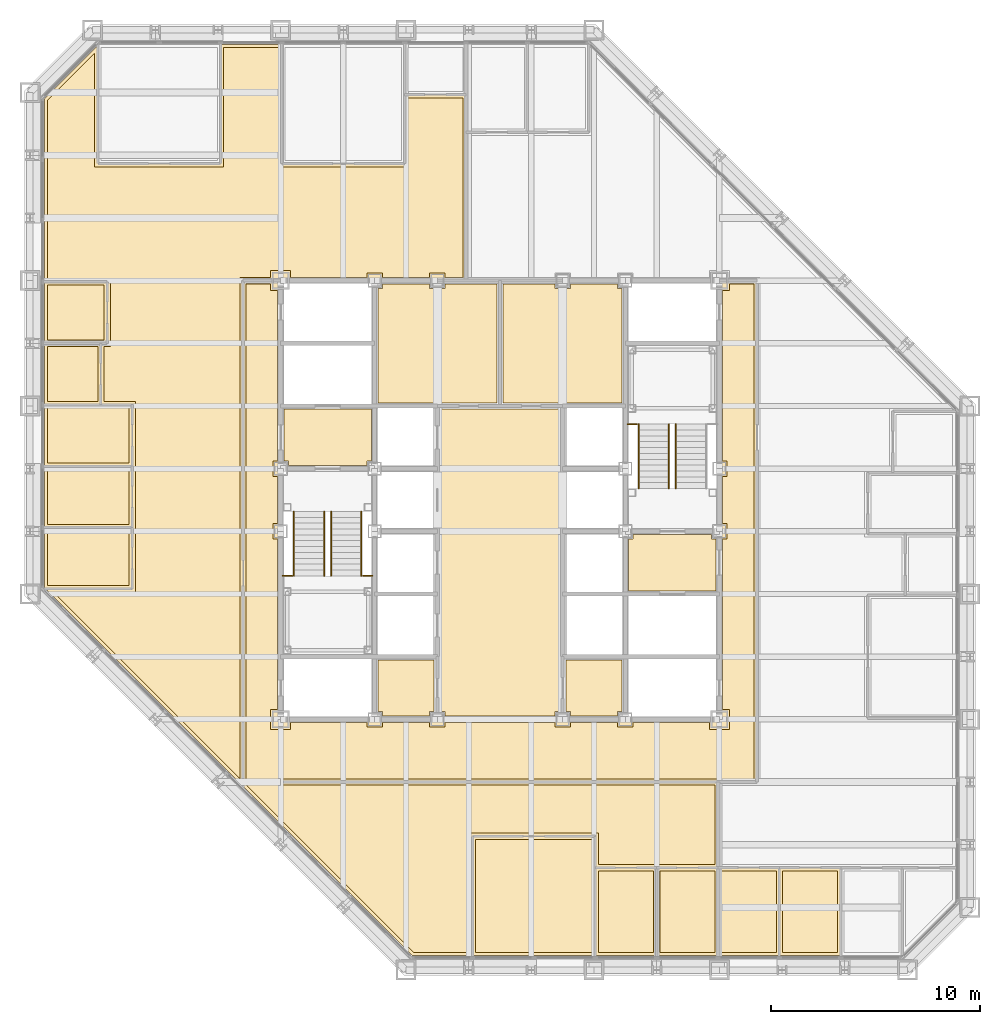
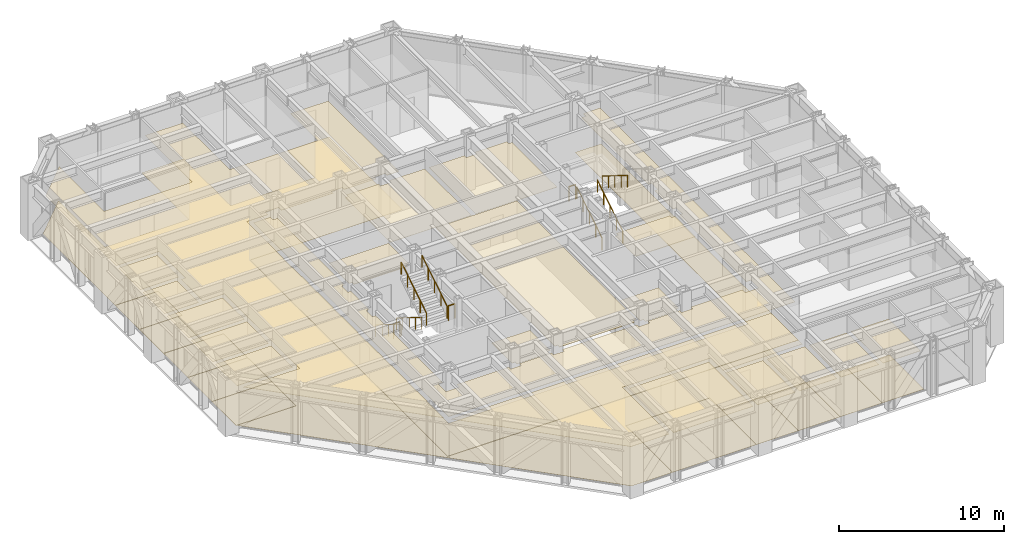
# One storey, part 14 of 16: 32 coverings, 10 railings.
"""IFC4 building model written with IfcOpenShell, lengths in metres."""

from ifc_helpers import new_model, si_unit, direction, frame, origin, origin_2d, place, context, subcontext, project, spatial, polyline, circle, outline, extrude, material, layer, layer_set, type_object, element, save


model = new_model("IFC4")

# Units and contexts
model_context = context("Model", 3, precision=1e-05, world=origin(), true_north=direction((0.0, 1.0)))
body_context = subcontext(model_context, "Body", "Model", "MODEL_VIEW")
ifc_project = project(units=[si_unit("LENGTHUNIT", "METRE"), si_unit("AREAUNIT", "SQUARE_METRE"), si_unit("VOLUMEUNIT", "CUBIC_METRE"), si_unit("PLANEANGLEUNIT", "RADIAN"), si_unit("MASSUNIT", "GRAM", prefix="KILO")], contexts=[model_context])

# Site, building, storey
site_placement = place(None, origin())
site = spatial("IfcSite", under=ifc_project, at=site_placement, CompositionType="ELEMENT")
building_placement = place(site_placement, origin())
building = spatial("IfcBuilding", under=site, at=building_placement, Name="Chuquiago Exchange Tower", CompositionType="ELEMENT")
storey_placement = place(building_placement, frame((0.0, 0.0, 153.0)))
storey = spatial("IfcBuildingStorey", under=building, at=storey_placement, Name="L33", CompositionType="ELEMENT", Elevation=153.0)

# Coverings
ifc_material_1 = material(Name="Mineral fibre tile, 600 x 600, on pale metal grid", Category="mineral fibre")
ifc_layer_1 = layer(ifc_material_1, 0.02001953125)
ifc_layer_set_1 = layer_set([ifc_layer_1], Name="CL1 suspended tile ceiling 20")
covering_type_1 = type_object("IfcCoveringType", Name="CL1 suspended tile ceiling 20", PredefinedType="CEILING", material=ifc_layer_set_1)
covering_1_placement = place(storey_placement, frame((0.0, 0.0, 2.800048828125)))
element("IfcCovering", 1, at=covering_1_placement, inside=storey, type_object=covering_type_1, Name="Ceiling Investor relations office", PredefinedType="CEILING", context=body_context, shape_type="SweptSolid", body=[
    extrude(outline(polyline([(21.33642578125, 6.25), (26.912109375, 6.25), (26.912109375, 0.85009765625), (21.33642578125, 0.85009765625), (21.33642578125, 6.25)])), origin(), (0.0, 0.0, 1.0), 0.02001953125),
])
covering_2_placement = place(storey_placement, frame((0.0, 0.0, 2.800048828125)))
element("IfcCovering", 2, at=covering_2_placement, inside=storey, type_object=covering_type_1, Name="Ceiling Office", PredefinedType="CEILING", context=body_context, shape_type="SweptSolid", body=[
    extrude(outline(polyline([(27.212158203125, 4.75), (29.85009765625, 4.75), (29.85009765625, 0.85009765625), (27.212158203125, 0.85009765625), (27.212158203125, 4.75)])), origin(), (0.0, 0.0, 1.0), 0.02001953125),
])
covering_3_placement = place(storey_placement, frame((0.0, 0.0, 2.800048828125)))
element("IfcCovering", 3, at=covering_3_placement, inside=storey, type_object=covering_type_1, Name="Ceiling Office", PredefinedType="CEILING", context=body_context, shape_type="SweptSolid", body=[
    extrude(outline(polyline([(30.14990234375, 4.75), (32.787841796875, 4.75), (32.787841796875, 0.85009765625), (30.14990234375, 0.85009765625), (30.14990234375, 4.75)])), origin(), (0.0, 0.0, 1.0), 0.02001953125),
])
covering_4_placement = place(storey_placement, frame((0.0, 0.0, 2.800048828125)))
element("IfcCovering", 4, at=covering_4_placement, inside=storey, type_object=covering_type_1, Name="Ceiling Office", PredefinedType="CEILING", context=body_context, shape_type="SweptSolid", body=[
    extrude(outline(polyline([(33.087890625, 4.75), (35.7255859375, 4.75), (35.7255859375, 0.85009765625), (33.087890625, 0.85009765625), (33.087890625, 4.75)])), origin(), (0.0, 0.0, 1.0), 0.02001953125),
])
covering_5_placement = place(storey_placement, frame((0.0, 0.0, 2.800048828125)))
element("IfcCovering", 5, at=covering_5_placement, inside=storey, type_object=covering_type_1, Name="Ceiling Office", PredefinedType="CEILING", context=body_context, shape_type="SweptSolid", body=[
    extrude(outline(polyline([(36.025634765625, 4.75), (38.66357421875, 4.75), (38.66357421875, 0.85009765625), (36.025634765625, 0.85009765625), (36.025634765625, 4.75)])), origin(), (0.0, 0.0, 1.0), 0.02001953125),
])
covering_6_placement = place(storey_placement, frame((0.0, 0.0, 2.800048828125)))
element("IfcCovering", 6, at=covering_6_placement, inside=storey, type_object=covering_type_1, Name="Ceiling Office", PredefinedType="CEILING", context=body_context, shape_type="SweptSolid", body=[
    extrude(outline(polyline([(0.85009765625, 21.036376953125), (4.75, 21.036376953125), (4.75, 18.3984375), (0.85009765625, 18.3984375), (0.85009765625, 21.036376953125)])), origin(), (0.0, 0.0, 1.0), 0.02001953125),
])
covering_7_placement = place(storey_placement, frame((0.0, 0.0, 2.800048828125)))
element("IfcCovering", 7, at=covering_7_placement, inside=storey, type_object=covering_type_1, Name="Ceiling Office", PredefinedType="CEILING", context=body_context, shape_type="SweptSolid", body=[
    extrude(outline(polyline([(4.75, 23.974365234375), (4.75, 21.33642578125), (0.85009765625, 21.33642578125), (0.85009765625, 23.974365234375), (4.75, 23.974365234375)])), origin(), (0.0, 0.0, 1.0), 0.02001953125),
])
covering_8_placement = place(storey_placement, frame((0.0, 0.0, 2.800048828125)))
element("IfcCovering", 8, at=covering_8_placement, inside=storey, type_object=covering_type_1, Name="Ceiling Office", PredefinedType="CEILING", context=body_context, shape_type="SweptSolid", body=[
    extrude(outline(polyline([(4.75, 26.912109375), (4.75, 24.2744140625), (0.85009765625, 24.2744140625), (0.85009765625, 26.912109375), (4.75, 26.912109375)])), origin(), (0.0, 0.0, 1.0), 0.02001953125),
])
covering_9_placement = place(storey_placement, frame((0.0, 0.0, 2.800048828125)))
element("IfcCovering", 9, at=covering_9_placement, inside=storey, type_object=covering_type_1, Name="Ceiling Store", PredefinedType="CEILING", context=body_context, shape_type="SweptSolid", body=[
    extrude(outline(polyline([(3.25, 29.85009765625), (3.25, 27.212158203125), (0.85009765625, 27.212158203125), (0.85009765625, 29.85009765625), (3.25, 29.85009765625)])), origin(), (0.0, 0.0, 1.0), 0.02001953125),
])
covering_10_placement = place(storey_placement, frame((0.0, 0.0, 2.800048828125)))
element("IfcCovering", 10, at=covering_10_placement, inside=storey, type_object=covering_type_1, Name="Ceiling Pantry", PredefinedType="CEILING", context=body_context, shape_type="SweptSolid", body=[
    extrude(outline(polyline([(3.550048828125, 32.787841796875), (3.550048828125, 30.14990234375), (0.85009765625, 30.14990234375), (0.85009765625, 32.787841796875), (3.550048828125, 32.787841796875)])), origin(), (0.0, 0.0, 1.0), 0.02001953125),
])
covering_11_placement = place(storey_placement, frame((0.0, 0.0, 2.800048828125)))
element("IfcCovering", 11, at=covering_11_placement, inside=storey, type_object=covering_type_1, Name="Ceiling Open office west suite", PredefinedType="CEILING", context=body_context, shape_type="SweptSolid", body=[
    extrude(outline(polyline([(3.098388671875, 38.449951171875), (9.2744140625, 38.449951171875), (9.2744140625, 44.14990234375), (11.912109375, 44.14990234375), (11.912109375, 38.449951171875), (18.087890625, 38.449951171875), (18.087890625, 41.75), (20.72509765625, 41.75), (20.72509765625, 33.14990234375), (19.875, 33.14990234375), (19.875, 33.375), (19.125, 33.375), (19.125, 33.14990234375), (16.875, 33.14990234375), (16.875, 33.375), (16.125, 33.375), (16.125, 33.14990234375), (12.47509765625, 33.150146484375), (12.47509765625, 33.47509765625), (11.52490234375, 33.47509765625), (11.52490234375, 33.150146484375), (10.049560546875, 33.150146484375), (10.049560546875, 9.15234375), (1.103515625, 18.098388671875), (5.050048828125, 18.098388671875), (5.050048828125, 27.212158203125), (3.550048828125, 27.212158203125), (3.550048828125, 29.85009765625), (3.85009765625, 29.85009765625), (3.85009765625, 33.087890625), (0.85009765625, 33.087890625), (0.85009765625, 41.64794921875), (3.098388671875, 43.896484375), (3.098388671875, 38.449951171875)])), origin(), (0.0, 0.0, 1.0), 0.02001953125),
])
covering_12_placement = place(storey_placement, frame((0.0, 0.0, 2.800048828125)))
element("IfcCovering", 12, at=covering_12_placement, inside=storey, type_object=covering_type_1, Name="Ceiling Open office west suite", PredefinedType="CEILING", context=body_context, shape_type="SweptSolid", body=[
    extrude(outline(polyline([(32.787353515625, 8.849609375), (32.787353515625, 5.050048828125), (27.212158203125, 5.050048828125), (27.212158203125, 6.550048828125), (21.036376953125, 6.550048828125), (21.036376953125, 0.85009765625), (18.35205078125, 0.85009765625), (10.352294921875, 8.849609375), (32.787353515625, 8.849609375)])), origin(), (0.0, 0.0, 1.0), 0.02001953125),
])
covering_13_placement = place(storey_placement, frame((0.0, 0.0, 2.800048828125)))
element("IfcCovering", 13, at=covering_13_placement, inside=storey, type_object=covering_type_1, Name="Ceiling Tenant corridor", PredefinedType="CEILING", context=body_context, shape_type="SweptSolid", body=[
    extrude(outline(polyline([(16.125, 11.85009765625), (16.125, 11.625), (16.875, 11.625), (16.875, 11.85009765625), (19.125, 11.85009765625), (19.125, 11.625), (19.875, 11.625), (19.875, 11.85009765625), (25.125, 11.85009765625), (25.125, 11.625), (25.875, 11.625), (25.875, 11.85009765625), (28.125, 11.85009765625), (28.125, 11.625), (28.875, 11.625), (28.875, 11.85009765625), (32.52490234375, 11.85009765625), (32.52490234375, 11.52490234375), (33.47509765625, 11.52490234375), (33.47509765625, 12.47509765625), (33.14990234375, 12.47509765625), (33.14990234375, 20.625), (33.375, 20.625), (33.375, 21.375), (33.14990234375, 21.375), (33.14990234375, 23.625), (33.375, 23.625), (33.375, 24.375), (33.14990234375, 24.375), (33.14990234375, 32.52490234375), (33.47509765625, 32.52490234375), (33.47509765625, 32.85009765625), (34.64990234375, 32.85009765625), (34.64990234375, 9.14990234375), (10.35009765625, 9.14990234375), (10.35009765625, 32.85009765625), (11.52490234375, 32.85009765625), (11.52490234375, 32.52490234375), (11.85009765625, 32.52490234375), (11.85009765625, 24.375), (11.625, 24.375), (11.625, 23.625), (11.85009765625, 23.625), (11.85009765625, 21.375), (11.625, 21.375), (11.625, 20.625), (11.85009765625, 20.625), (11.85009765625, 12.47509765625), (11.52490234375, 12.47509765625), (11.52490234375, 11.52490234375), (12.47509765625, 11.52490234375), (12.47509765625, 11.85009765625), (16.125, 11.85009765625)])), origin(), (0.0, 0.0, 1.0), 0.02001953125),
])
ifc_material_2 = material(Name="Moisture resistant plasterboard on metal frame", Category="gypsum")
ifc_layer_2 = layer(ifc_material_2, 0.014892578125)
ifc_layer_set_2 = layer_set([ifc_layer_2], Name="CL2 moisture resistant ceiling 15")
covering_type_2 = type_object("IfcCoveringType", Name="CL2 moisture resistant ceiling 15", PredefinedType="CEILING", material=ifc_layer_set_2)
covering_14_placement = place(storey_placement, frame((0.0, 0.0, 2.60009765625)))
element("IfcCovering", 14, at=covering_14_placement, inside=storey, type_object=covering_type_2, Name="Ceiling Male WC", PredefinedType="CEILING", context=body_context, shape_type="SweptSolid", body=[
    extrude(outline(polyline([(16.64990234375, 27.14990234375), (16.64990234375, 32.625), (16.875, 32.625), (16.875, 32.85009765625), (19.125, 32.85009765625), (19.125, 32.625), (19.875, 32.625), (19.875, 32.85009765625), (22.35009765625, 32.85009765625), (22.35009765625, 27.14990234375), (16.64990234375, 27.14990234375)])), origin(), (0.0, 0.0, 1.0), 0.014892578125),
])
covering_15_placement = place(storey_placement, frame((0.0, 0.0, 2.60009765625)))
element("IfcCovering", 15, at=covering_15_placement, inside=storey, type_object=covering_type_2, Name="Ceiling Female WC", PredefinedType="CEILING", context=body_context, shape_type="SweptSolid", body=[
    extrude(outline(polyline([(22.64990234375, 27.14990234375), (22.64990234375, 32.85009765625), (25.125, 32.85009765625), (25.125, 32.625), (25.875, 32.625), (25.875, 32.85009765625), (28.125, 32.85009765625), (28.125, 32.625), (28.35009765625, 32.625), (28.35009765625, 27.14990234375), (22.64990234375, 27.14990234375)])), origin(), (0.0, 0.0, 1.0), 0.014892578125),
])
covering_16_placement = place(storey_placement, frame((0.0, 0.0, 2.60009765625)))
element("IfcCovering", 16, at=covering_16_placement, inside=storey, type_object=covering_type_2, Name="Ceiling Accessible WC", PredefinedType="CEILING", context=body_context, shape_type="SweptSolid", body=[
    extrude(outline(polyline([(25.875, 12.14990234375), (25.875, 12.375), (25.64990234375, 12.375), (25.64990234375, 14.85009765625), (28.35009765625, 14.85009765625), (28.35009765625, 12.375), (28.125, 12.375), (28.125, 12.14990234375), (25.875, 12.14990234375)])), origin(), (0.0, 0.0, 1.0), 0.014892578125),
])
covering_17_placement = place(storey_placement, frame((0.0, 0.0, 2.60009765625)))
element("IfcCovering", 17, at=covering_17_placement, inside=storey, type_object=covering_type_2, Name="Ceiling Cleaner", PredefinedType="CEILING", context=body_context, shape_type="SweptSolid", body=[
    extrude(outline(polyline([(16.875, 12.14990234375), (16.875, 12.375), (16.64990234375, 12.375), (16.64990234375, 14.85009765625), (19.35009765625, 14.85009765625), (19.35009765625, 12.375), (19.125, 12.375), (19.125, 12.14990234375), (16.875, 12.14990234375)])), origin(), (0.0, 0.0, 1.0), 0.014892578125),
])
ifc_material_3 = material(Name="Pale metal plank ceiling, perforated", Category="aluminium")
ifc_layer_3 = layer(ifc_material_3, 0.030029296875)
ifc_layer_set_3 = layer_set([ifc_layer_3], Name="CL3 metal plank ceiling 30")
covering_type_3 = type_object("IfcCoveringType", Name="CL3 metal plank ceiling 30", PredefinedType="CEILING", material=ifc_layer_set_3)
covering_18_placement = place(storey_placement, frame((0.0, 0.0, 2.800048828125)))
element("IfcCovering", 18, at=covering_18_placement, inside=storey, type_object=covering_type_3, Name="Ceiling Lift lobby", PredefinedType="CEILING", context=body_context, shape_type="SweptSolid", body=[
    extrude(outline(polyline([(19.875, 12.14990234375), (19.875, 12.375), (19.64990234375, 12.375), (19.64990234375, 26.85009765625), (25.35009765625, 26.85009765625), (25.35009765625, 12.375), (25.125, 12.375), (25.125, 12.14990234375), (19.875, 12.14990234375)])), origin(), (0.0, 0.0, 1.0), 0.030029296875),
])
covering_19_placement = place(storey_placement, frame((0.0, 0.0, 2.800048828125)))
element("IfcCovering", 19, at=covering_19_placement, inside=storey, type_object=covering_type_3, Name="Ceiling Firefighting lobby", PredefinedType="CEILING", context=body_context, shape_type="SweptSolid", body=[
    extrude(outline(polyline([(12.375, 24.14990234375), (12.375, 24.375), (12.14990234375, 24.375), (12.14990234375, 26.85009765625), (16.35009765625, 26.85009765625), (16.35009765625, 24.375), (16.125, 24.375), (16.125, 24.14990234375), (12.375, 24.14990234375)])), origin(), (0.0, 0.0, 1.0), 0.030029296875),
])
covering_20_placement = place(storey_placement, frame((0.0, 0.0, 2.800048828125)))
element("IfcCovering", 20, at=covering_20_placement, inside=storey, type_object=covering_type_3, Name="Ceiling Firefighting lobby", PredefinedType="CEILING", context=body_context, shape_type="SweptSolid", body=[
    extrude(outline(polyline([(28.64990234375, 18.14990234375), (28.64990234375, 20.625), (28.875, 20.625), (28.875, 20.85009765625), (32.625, 20.85009765625), (32.625, 20.625), (32.85009765625, 20.625), (32.85009765625, 18.14990234375), (28.64990234375, 18.14990234375)])), origin(), (0.0, 0.0, 1.0), 0.030029296875),
])
ifc_material_4 = material(Name="Carpet tile, 500 x 500, on the floor slab", Category="textile")
ifc_layer_4 = layer(ifc_material_4, 0.010009765625)
ifc_layer_set_4 = layer_set([ifc_layer_4], Name="FL1 carpet tile 10")
covering_type_4 = type_object("IfcCoveringType", Name="FL1 carpet tile 10", PredefinedType="FLOORING", material=ifc_layer_set_4)
covering_21_placement = place(storey_placement, origin())
element("IfcCovering", 21, at=covering_21_placement, inside=storey, type_object=covering_type_4, Name="Floor finish Investor relations office", PredefinedType="FLOORING", context=body_context, shape_type="SweptSolid", body=[
    extrude(outline(polyline([(21.186279296875, 0.699951171875), (21.186279296875, 6.39990234375), (27.06201171875, 6.39990234375), (27.06201171875, 0.699951171875), (21.186279296875, 0.699951171875)])), origin(), (0.0, 0.0, 1.0), 0.010009765625),
])
covering_22_placement = place(storey_placement, origin())
element("IfcCovering", 22, at=covering_22_placement, inside=storey, type_object=covering_type_4, Name="Floor finish Office", PredefinedType="FLOORING", context=body_context, shape_type="SweptSolid", body=[
    extrude(outline(polyline([(27.06201171875, 0.699951171875), (27.06201171875, 4.89990234375), (30.0, 4.89990234375), (30.0, 0.699951171875), (27.06201171875, 0.699951171875)])), origin(), (0.0, 0.0, 1.0), 0.010009765625),
])
covering_23_placement = place(storey_placement, origin())
element("IfcCovering", 23, at=covering_23_placement, inside=storey, type_object=covering_type_4, Name="Floor finish Office", PredefinedType="FLOORING", context=body_context, shape_type="SweptSolid", body=[
    extrude(outline(polyline([(30.0, 0.699951171875), (30.0, 4.89990234375), (32.93798828125, 4.89990234375), (32.93798828125, 0.699951171875), (30.0, 0.699951171875)])), origin(), (0.0, 0.0, 1.0), 0.010009765625),
])
covering_24_placement = place(storey_placement, origin())
element("IfcCovering", 24, at=covering_24_placement, inside=storey, type_object=covering_type_4, Name="Floor finish Office", PredefinedType="FLOORING", context=body_context, shape_type="SweptSolid", body=[
    extrude(outline(polyline([(32.93798828125, 0.699951171875), (32.93798828125, 4.89990234375), (35.875732421875, 4.89990234375), (35.875732421875, 0.699951171875), (32.93798828125, 0.699951171875)])), origin(), (0.0, 0.0, 1.0), 0.010009765625),
])
covering_25_placement = place(storey_placement, origin())
element("IfcCovering", 25, at=covering_25_placement, inside=storey, type_object=covering_type_4, Name="Floor finish Office", PredefinedType="FLOORING", context=body_context, shape_type="SweptSolid", body=[
    extrude(outline(polyline([(35.875732421875, 0.699951171875), (35.875732421875, 4.89990234375), (38.813720703125, 4.89990234375), (38.813720703125, 0.699951171875), (35.875732421875, 0.699951171875)])), origin(), (0.0, 0.0, 1.0), 0.010009765625),
])
covering_26_placement = place(storey_placement, origin())
element("IfcCovering", 26, at=covering_26_placement, inside=storey, type_object=covering_type_4, Name="Floor finish Office", PredefinedType="FLOORING", context=body_context, shape_type="SweptSolid", body=[
    extrude(outline(polyline([(0.699951171875, 21.186279296875), (4.89990234375, 21.186279296875), (4.89990234375, 18.24853515625), (0.741455078125, 18.24853515625), (0.699951171875, 18.289794921875), (0.699951171875, 21.186279296875)])), origin(), (0.0, 0.0, 1.0), 0.010009765625),
])
covering_27_placement = place(storey_placement, origin())
element("IfcCovering", 27, at=covering_27_placement, inside=storey, type_object=covering_type_4, Name="Floor finish Office", PredefinedType="FLOORING", context=body_context, shape_type="SweptSolid", body=[
    extrude(outline(polyline([(0.699951171875, 24.124267578125), (4.89990234375, 24.124267578125), (4.89990234375, 21.186279296875), (0.699951171875, 21.186279296875), (0.699951171875, 24.124267578125)])), origin(), (0.0, 0.0, 1.0), 0.010009765625),
])
covering_28_placement = place(storey_placement, origin())
element("IfcCovering", 28, at=covering_28_placement, inside=storey, type_object=covering_type_4, Name="Floor finish Office", PredefinedType="FLOORING", context=body_context, shape_type="SweptSolid", body=[
    extrude(outline(polyline([(0.699951171875, 27.06201171875), (4.89990234375, 27.06201171875), (4.89990234375, 24.124267578125), (0.699951171875, 24.124267578125), (0.699951171875, 27.06201171875)])), origin(), (0.0, 0.0, 1.0), 0.010009765625),
])
covering_29_placement = place(storey_placement, origin())
element("IfcCovering", 29, at=covering_29_placement, inside=storey, type_object=covering_type_4, Name="Floor finish Open office west suite", PredefinedType="FLOORING", context=body_context, shape_type="SweptSolid", body=[
    extrude(outline(polyline([(3.24853515625, 44.258544921875), (3.24853515625, 38.60009765625), (9.124267578125, 38.60009765625), (9.124267578125, 44.300048828125), (12.06201171875, 44.300048828125), (12.06201171875, 38.60009765625), (17.93798828125, 38.60009765625), (17.93798828125, 41.89990234375), (20.875244140625, 41.89990234375), (20.875244140625, 33.0), (10.199462890625, 33.0), (10.19970703125, 8.999755859375), (32.9375, 8.99951171875), (32.9375, 4.89990234375), (27.06201171875, 4.89990234375), (27.06201171875, 6.39990234375), (21.186279296875, 6.39990234375), (21.186279296875, 0.699951171875), (18.289794921875, 0.699951171875), (0.741455078125, 18.24853515625), (4.89990234375, 18.24853515625), (4.89990234375, 27.06201171875), (3.39990234375, 27.06201171875), (3.39990234375, 30.0), (3.699951171875, 30.0), (3.699951171875, 32.93798828125), (0.699951171875, 32.93798828125), (0.699951171875, 41.710205078125), (3.289794921875, 44.300048828125), (3.24853515625, 44.258544921875)])), origin(), (0.0, 0.0, 1.0), 0.010009765625),
])
ifc_material_5 = material(Name="Porcelain floor tile, 600 x 600, on adhesive bed", Category="ceramic")
ifc_layer_5 = layer(ifc_material_5, 0.014892578125)
ifc_layer_set_5 = layer_set([ifc_layer_5], Name="FL2 porcelain tile 15")
covering_type_5 = type_object("IfcCoveringType", Name="FL2 porcelain tile 15", PredefinedType="FLOORING", material=ifc_layer_set_5)
covering_30_placement = place(storey_placement, origin())
element("IfcCovering", 30, at=covering_30_placement, inside=storey, type_object=covering_type_5, Name="Floor finish Store", PredefinedType="FLOORING", context=body_context, shape_type="SweptSolid", body=[
    extrude(outline(polyline([(0.699951171875, 30.0), (3.39990234375, 30.0), (3.39990234375, 27.06201171875), (0.699951171875, 27.06201171875), (0.699951171875, 30.0)])), origin(), (0.0, 0.0, 1.0), 0.014892578125),
])
covering_31_placement = place(storey_placement, origin())
element("IfcCovering", 31, at=covering_31_placement, inside=storey, type_object=covering_type_5, Name="Floor finish Pantry", PredefinedType="FLOORING", context=body_context, shape_type="SweptSolid", body=[
    extrude(outline(polyline([(0.699951171875, 32.93798828125), (3.699951171875, 32.93798828125), (3.699951171875, 30.0), (0.699951171875, 30.0), (0.699951171875, 32.93798828125)])), origin(), (0.0, 0.0, 1.0), 0.014892578125),
])
covering_32_placement = place(storey_placement, origin())
element("IfcCovering", 32, at=covering_32_placement, inside=storey, type_object=covering_type_5, Name="Floor finish Tenant corridor", PredefinedType="FLOORING", context=body_context, shape_type="SweptSolid", body=[
    extrude(outline(polyline([(12.0, 12.0), (33.0, 12.0), (33.0, 33.0), (34.800048828125, 33.0), (34.800048828125, 9.0), (10.199951171875, 9.0), (10.199951171875, 33.0), (12.0, 33.0), (12.0, 12.0)])), origin(), (0.0, 0.0, 1.0), 0.014892578125),
])

# Railings
ifc_material_6 = material(Name="Pale metal guard with safety glass infill", Category="glass")
railing_type_1 = type_object("IfcRailingType", Name="GR1 guard 1100", PredefinedType="GUARDRAIL", material=ifc_material_6)
for number, where, name in (
    (33, (12.10009765625, 18.8701171875, 2.10009765625), "Guard ST1 L33 landing 2"),
    (34, (15.945068359375, 18.8701171875, 2.10009765625), "Guard ST1 L33 landing 2"),
    (35, (28.60009765625, 26.1298828125, 2.10009765625), "Guard ST2 L33 landing 2"),
):
    element("IfcRailing", number, at=place(storey_placement, frame(where)), inside=storey, type_object=railing_type_1, Name=name, PredefinedType="GUARDRAIL", context=body_context, shape_type="SweptSolid", body=[
        extrude(circle(Radius=0.02392578125, at=origin_2d()), frame((0.0, 0.0, 1.076171875), z_axis=(1.0, 0.0, 0.0), x_axis=(0.0, 1.0, 0.0)), (0.0, 0.0, 1.0), 0.454833984375),
        extrude(circle(Radius=0.02099609375, at=origin_2d()), origin(), (0.0, 0.0, 1.0), 1.052001953125),
        extrude(circle(Radius=0.02099609375, at=origin_2d()), frame((0.454833984375, 0.0, 0.0)), (0.0, 0.0, 1.0), 1.052001953125),
    ])
ifc_material_7 = material(Name="Pale metal handrail", Category="steel")
railing_type_2 = type_object("IfcRailingType", Name="HR1 handrail 900", PredefinedType="HANDRAIL", material=ifc_material_7)
for number, where, name in (
    (36, (12.635009765625, 21.949951171875, 0.175048828125), "Handrail ST1 L33 flight 1"),
    (37, (14.0849609375, 21.949951171875, 0.175048828125), "Handrail ST1 L33 flight 1"),
):
    element("IfcRailing", number, at=place(storey_placement, frame(where)), inside=storey, type_object=railing_type_2, Name=name, PredefinedType="HANDRAIL", context=body_context, shape_type="SweptSolid", body=[
        extrude(circle(Radius=0.02392578125, at=origin_2d()), frame((0.0, 0.0, 0.8759765625), z_axis=(0.0, -0.847979421464, 0.530029150871), x_axis=(1.0, 0.0, 0.0)), (0.0, 0.0, 1.0), 3.632080078125),
        extrude(circle(Radius=0.02099609375, at=origin_2d()), origin(), (0.0, 0.0, 1.0), 0.851806640625),
        extrude(circle(Radius=0.02099609375, at=origin_2d()), frame((0.0, -0.77001953125, 0.481201171875)), (0.0, 0.0, 1.0), 0.851806640625),
        extrude(circle(Radius=0.02099609375, at=origin_2d()), frame((0.0, -1.5400390625, 0.96240234375)), (0.0, 0.0, 1.0), 0.851806640625),
        extrude(circle(Radius=0.02099609375, at=origin_2d()), frame((0.0, -2.309814453125, 1.44384765625)), (0.0, 0.0, 1.0), 0.851806640625),
        extrude(circle(Radius=0.02099609375, at=origin_2d()), frame((0.0, -3.079833984375, 1.925048828125)), (0.0, 0.0, 1.0), 0.851806640625),
    ])
for number, where, name in (
    (38, (15.864990234375, 18.8701171875, 2.27490234375), "Handrail ST1 L33 flight 2"),
    (39, (14.4150390625, 18.8701171875, 2.27490234375), "Handrail ST1 L33 flight 2"),
    (40, (30.5849609375, 23.050048828125, 0.175048828125), "Handrail ST2 L33 flight 1"),
    (41, (29.135009765625, 23.050048828125, 0.175048828125), "Handrail ST2 L33 flight 1"),
):
    element("IfcRailing", number, at=place(storey_placement, frame(where)), inside=storey, type_object=railing_type_2, Name=name, PredefinedType="HANDRAIL", context=body_context, shape_type="SweptSolid", body=[
        extrude(circle(Radius=0.02392578125, at=origin_2d()), frame((0.0, 0.0, 0.8759765625), z_axis=(0.0, 0.847979421464, 0.530029150871), x_axis=(-1.0, 0.0, 0.0)), (0.0, 0.0, 1.0), 3.632080078125),
        extrude(circle(Radius=0.02099609375, at=origin_2d()), origin(), (0.0, 0.0, 1.0), 0.851806640625),
        extrude(circle(Radius=0.02099609375, at=origin_2d()), frame((0.0, 0.77001953125, 0.481201171875)), (0.0, 0.0, 1.0), 0.851806640625),
        extrude(circle(Radius=0.02099609375, at=origin_2d()), frame((0.0, 1.5400390625, 0.96240234375)), (0.0, 0.0, 1.0), 0.851806640625),
        extrude(circle(Radius=0.02099609375, at=origin_2d()), frame((0.0, 2.309814453125, 1.44384765625)), (0.0, 0.0, 1.0), 0.851806640625),
        extrude(circle(Radius=0.02099609375, at=origin_2d()), frame((0.0, 3.079833984375, 1.925048828125)), (0.0, 0.0, 1.0), 0.851806640625),
    ])
railing_placement = place(storey_placement, frame((30.9150390625, 26.1298828125, 2.27490234375)))
element("IfcRailing", 42, at=railing_placement, inside=storey, type_object=railing_type_2, Name="Handrail ST2 L33 flight 2", PredefinedType="HANDRAIL", context=body_context, shape_type="SweptSolid", body=[
    extrude(circle(Radius=0.02392578125, at=origin_2d()), frame((0.0, 0.0, 0.8759765625), z_axis=(0.0, -0.847979421464, 0.530029150871), x_axis=(1.0, 0.0, 0.0)), (0.0, 0.0, 1.0), 3.632080078125),
    extrude(circle(Radius=0.02099609375, at=origin_2d()), origin(), (0.0, 0.0, 1.0), 0.851806640625),
    extrude(circle(Radius=0.02099609375, at=origin_2d()), frame((0.0, -0.77001953125, 0.481201171875)), (0.0, 0.0, 1.0), 0.851806640625),
    extrude(circle(Radius=0.02099609375, at=origin_2d()), frame((0.0, -1.5400390625, 0.96240234375)), (0.0, 0.0, 1.0), 0.851806640625),
    extrude(circle(Radius=0.02099609375, at=origin_2d()), frame((0.0, -2.309814453125, 1.44384765625)), (0.0, 0.0, 1.0), 0.851806640625),
    extrude(circle(Radius=0.02099609375, at=origin_2d()), frame((0.0, -3.079833984375, 1.925048828125)), (0.0, 0.0, 1.0), 0.851806640625),
])

save(model, "model.ifc")
